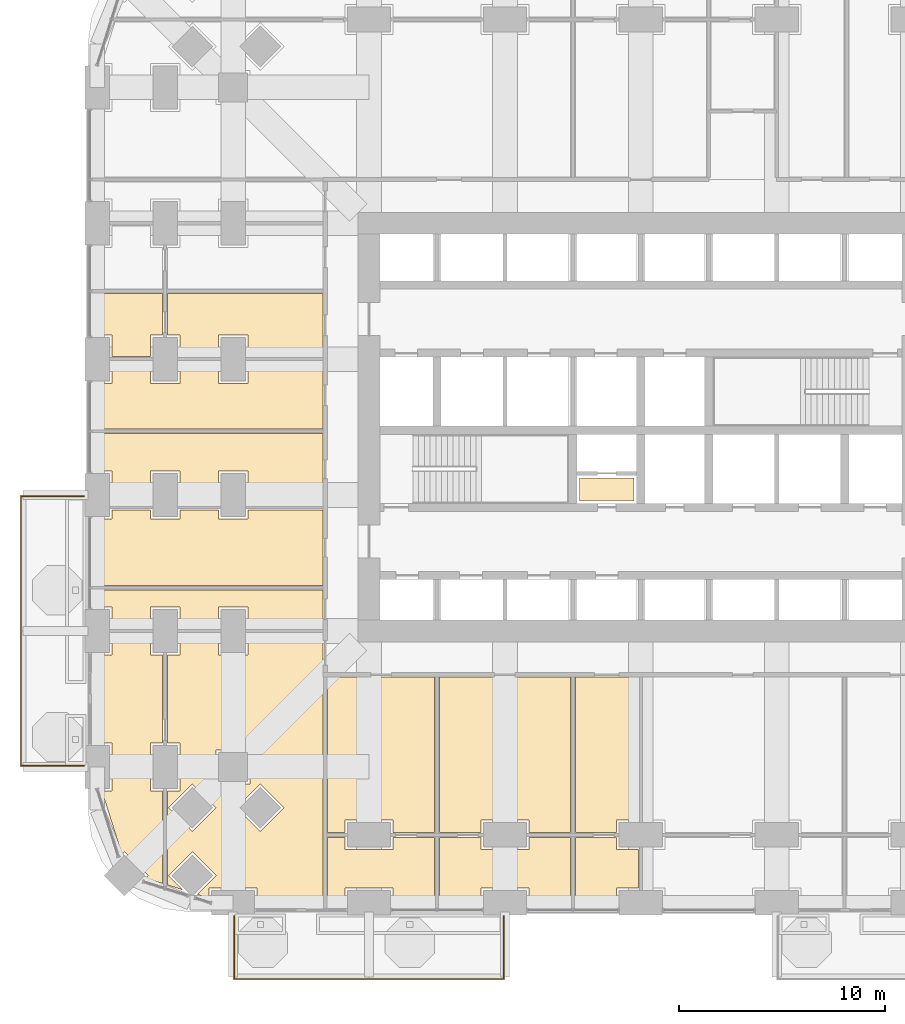
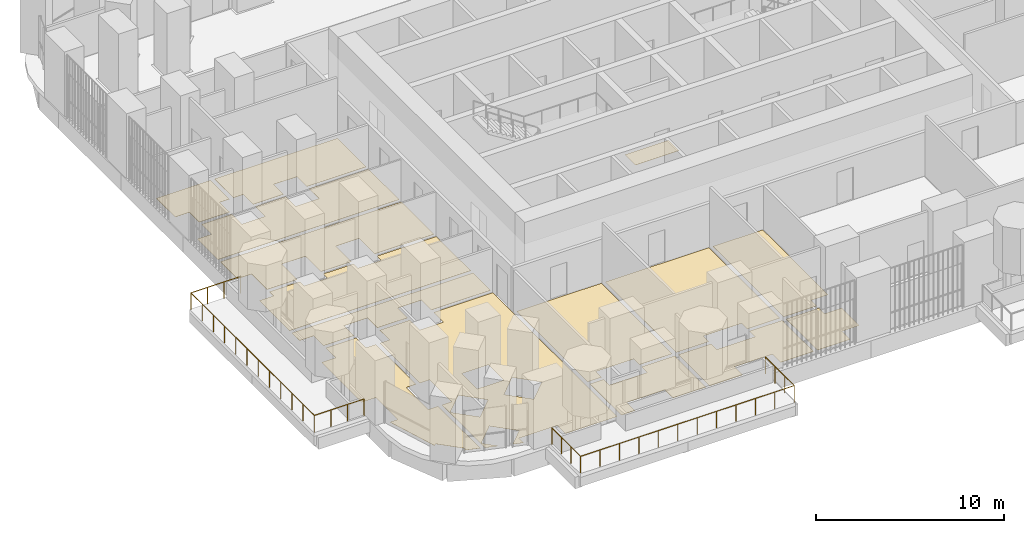
# One storey, part 23 of 27: 15 coverings, 2 railings.
"""IFC4 building model written with IfcOpenShell, lengths in metres."""

import ifcopenshell
import ifcopenshell.guid

model = None  # the IFC model being written
_history = None  # IfcOwnerHistory: only IFC2X3 demands one
_inside = {}  # id of a spatial element -> (the spatial element, [elements in it])
_under = {}  # id of a project, library or spatial element -> (it, [spatial elements below it])
_declared = {}  # id of a project -> (the project, [libraries it declares])
_typed = {}  # id of a type object -> (the type object, [elements of that type])
_made_of = {}  # id of a material, layer set ... -> (it, [elements and type objects made of it])


def new_model(schema):
    """Start an empty IFC model of exactly this schema.

    Asked for "IFC4X3", IfcOpenShell would pick the latest addendum, in which some entities
    have other attributes; the version numbers below select the first issue.
    IFC2X3 requires an IfcOwnerHistory on every rooted entity: one is made here for all.
    """
    global model, _history
    if schema == "IFC4X3":
        model = ifcopenshell.file(schema_version=(4, 3, 0, 0))
    else:
        model = ifcopenshell.file(schema=schema)
    _inside.clear()
    _under.clear()
    _declared.clear()
    _typed.clear()
    _made_of.clear()
    _history = None
    if model.schema == "IFC2X3":
        org = make("IfcOrganization", Name="unknown")
        user = make(
            "IfcPersonAndOrganization",
            ThePerson=make("IfcPerson", FamilyName="unknown"),
            TheOrganization=org,
        )
        app = make(
            "IfcApplication",
            ApplicationDeveloper=org,
            Version="unknown",
            ApplicationFullName="unknown",
            ApplicationIdentifier="unknown",
        )
        _history = make(
            "IfcOwnerHistory",
            OwningUser=user,
            OwningApplication=app,
            ChangeAction="ADDED",
            CreationDate=0,
        )
    return model


def make(cls, **values):
    """One entity of the class cls with the attributes given. An attribute that is None is left unset."""
    return model.create_entity(
        cls, **{name: value for name, value in values.items() if value is not None}
    )


def rooted(cls, **values):
    """An entity with a GlobalId (a new one), such as an element, a storey or a relation."""
    return make(cls, GlobalId=ifcopenshell.guid.new(), OwnerHistory=_history, **values)


def si_unit(unit_type, name, prefix=None):
    """IfcSIUnit, for example si_unit("LENGTHUNIT", "METRE", prefix="MILLI")."""
    return make("IfcSIUnit", UnitType=unit_type, Prefix=prefix, Name=name)


def assignment(units):
    """IfcUnitAssignment: the units of a project."""
    return None if units is None else make("IfcUnitAssignment", Units=units)


def point(xyz):
    """IfcCartesianPoint."""
    return None if xyz is None else make("IfcCartesianPoint", Coordinates=xyz)


def direction(xyz):
    """IfcDirection."""
    return None if xyz is None else make("IfcDirection", DirectionRatios=xyz)


def frame(location, z_axis=None, x_axis=None):
    """IfcAxis2Placement3D, a coordinate frame: its origin and axes. An axis left out is left unset."""
    return make(
        "IfcAxis2Placement3D",
        Location=point(location),
        Axis=direction(z_axis),
        RefDirection=direction(x_axis),
    )


def origin():
    """The frame at (0, 0, 0) with its axes left unset."""
    return frame((0.0, 0.0, 0.0))


def place(relative_to, where):
    """IfcLocalPlacement: puts the frame where relative to a parent placement (None: the world)."""
    return make(
        "IfcLocalPlacement", PlacementRelTo=relative_to, RelativePlacement=where
    )


def context(
    kind, dimensions, precision=None, world=None, true_north=None, identifier=None
):
    """IfcGeometricRepresentationContext, for example the 3D "Model" context."""
    return make(
        "IfcGeometricRepresentationContext",
        ContextIdentifier=identifier,
        ContextType=kind,
        CoordinateSpaceDimension=dimensions,
        Precision=precision,
        WorldCoordinateSystem=world,
        TrueNorth=true_north,
    )


def subcontext(parent, identifier, kind, view, scale=None):
    """IfcGeometricRepresentationSubContext, for example "Body" below "Model"."""
    return make(
        "IfcGeometricRepresentationSubContext",
        ContextIdentifier=identifier,
        ContextType=kind,
        ParentContext=parent,
        TargetScale=scale,
        TargetView=view,
    )


def project(units=None, contexts=None):
    """IfcProject with its units and contexts."""
    return rooted(
        "IfcProject",
        Name="project",
        RepresentationContexts=contexts,
        UnitsInContext=assignment(units),
    )


def spatial(cls, under=None, at=None, **own):
    """A site, building, storey or space (cls), placed at a placement, below another one or the project."""
    s = rooted(cls, ObjectPlacement=at, **own)
    if under is not None:
        _under.setdefault(under.id(), (under, []))[1].append(s)
    return s


def polyline(points):
    """IfcPolyline through the points."""
    return make("IfcPolyline", Points=[point(p) for p in points])


def outline(outer, holes=None, kind="AREA"):
    """IfcArbitraryClosedProfileDef: a profile drawn as a closed curve; with holes, ...WithVoids."""
    if holes is None:
        return make("IfcArbitraryClosedProfileDef", ProfileType=kind, OuterCurve=outer)
    return make(
        "IfcArbitraryProfileDefWithVoids",
        ProfileType=kind,
        OuterCurve=outer,
        InnerCurves=holes,
    )


def extrude(swept, where, along, depth):
    """IfcExtrudedAreaSolid: the profile swept, set in the frame where, extruded along a direction by depth."""
    return make(
        "IfcExtrudedAreaSolid",
        SweptArea=swept,
        Position=where,
        ExtrudedDirection=direction(along),
        Depth=depth,
    )


def shape(context_of_items, identifier, shape_type, items):
    """IfcShapeRepresentation: the items that make up one representation, for example the "Body"."""
    return make(
        "IfcShapeRepresentation",
        ContextOfItems=context_of_items,
        RepresentationIdentifier=identifier,
        RepresentationType=shape_type,
        Items=items,
    )


def material(Name=None, Category=None):
    """IfcMaterial."""
    return make("IfcMaterial", Name=Name, Category=Category)


def layer(
    of_material, thickness, ventilated=None, Name=None, Category=None, Priority=None
):
    """IfcMaterialLayer: one layer of a wall or slab, of a material (None: an air gap)."""
    return make(
        "IfcMaterialLayer",
        Material=of_material,
        LayerThickness=thickness,
        IsVentilated=ventilated,
        Name=Name,
        Category=Category,
        Priority=Priority,
    )


def layer_set(layers, Name=None):
    """IfcMaterialLayerSet."""
    return make("IfcMaterialLayerSet", MaterialLayers=layers, LayerSetName=Name)


def made_of(thing, what):
    """Note that an element or type object is made of a material, layer set ...; save() writes the relation."""
    if what is not None:
        _made_of.setdefault(what.id(), (what, []))[1].append(thing)
    return thing


def type_object(cls, material=None, **own):
    """A type object (cls), such as IfcWallType, which elements share."""
    return made_of(rooted(cls, **own), material)


def element(
    cls,
    number,
    at=None,
    inside=None,
    cuts=None,
    type_object=None,
    material=None,
    context=None,
    identifier="Body",
    shape_type=None,
    held_by="IfcProductDefinitionShape",
    body=None,
    shapes=None,
    **own,
):
    """One element of the class cls, such as IfcWall. Its Tag is "e" and its number.

    at: its placement. inside: the storey or other place that contains it. cuts: it is an
    opening in that element (IfcRelVoidsElement). A single representation is given by context,
    identifier, shape_type and body (its items); several are given by shapes. held_by: the class
    of the entity that holds the representations. save() writes the other relations.
    """
    e = rooted(cls, Tag="e%d" % number, ObjectPlacement=at, **own)
    if body is not None:
        shapes = [shape(context, identifier, shape_type, body)]
    if shapes is not None:
        e.Representation = make(held_by, Representations=shapes)
    if inside is not None:
        _inside.setdefault(inside.id(), (inside, []))[1].append(e)
    if cuts is not None:
        rooted(
            "IfcRelVoidsElement", RelatingBuildingElement=cuts, RelatedOpeningElement=e
        )
    if type_object is not None:
        _typed.setdefault(type_object.id(), (type_object, []))[1].append(e)
    return made_of(e, material)


def aggregate(whole, parts):
    """IfcRelAggregates: a whole, such as a stair, and the parts it consists of."""
    return rooted("IfcRelAggregates", RelatingObject=whole, RelatedObjects=parts)


def save(model, path):
    """Write the relations noted so far, then the file.

    IfcRelAggregates (storeys below a building ...), IfcRelContainedInSpatialStructure (elements
    in a storey), IfcRelDefinesByType, IfcRelAssociatesMaterial and IfcRelDeclares: one each for
    every whole, place, type object, material and project.
    """
    for whole, parts in _under.values():
        aggregate(whole, parts)
    for where, things in _inside.values():
        rooted(
            "IfcRelContainedInSpatialStructure",
            RelatedElements=things,
            RelatingStructure=where,
        )
    for kind, things in _typed.values():
        rooted("IfcRelDefinesByType", RelatedObjects=things, RelatingType=kind)
    for what, things in _made_of.values():
        rooted("IfcRelAssociatesMaterial", RelatedObjects=things, RelatingMaterial=what)
    for by, libraries in _declared.values():
        rooted("IfcRelDeclares", RelatingContext=by, RelatedDefinitions=libraries)
    model.write(path)


model = new_model("IFC4")

# Units and contexts
model_context = context("Model", 3, precision=1e-05, world=origin(), true_north=direction((0.0, 1.0)))
body_context = subcontext(model_context, "Body", "Model", "MODEL_VIEW")
ifc_project = project(units=[si_unit("LENGTHUNIT", "METRE"), si_unit("AREAUNIT", "SQUARE_METRE"), si_unit("VOLUMEUNIT", "CUBIC_METRE"), si_unit("PLANEANGLEUNIT", "RADIAN"), si_unit("MASSUNIT", "GRAM", prefix="KILO")], contexts=[model_context])

# Site, building, storey
site_placement = place(None, origin())
site = spatial("IfcSite", under=ifc_project, at=site_placement, CompositionType="ELEMENT")
building_placement = place(site_placement, origin())
building = spatial("IfcBuilding", under=site, at=building_placement, Name="Cobogo Forest Laboratory Tower", CompositionType="ELEMENT")
storey_placement = place(building_placement, frame((0.0, 0.0, 38.10009765625)))
storey = spatial("IfcBuildingStorey", under=building, at=storey_placement, Name="L08", CompositionType="ELEMENT", Elevation=38.10009765625)

# Railings
ifc_material_1 = material(Name="Laminated glass balustrade", Category="glass")
railing_type = type_object("IfcRailingType", Name="BG1 glass balustrade 1100", PredefinedType="GUARDRAIL", material=ifc_material_1)
railing_1_placement = place(storey_placement, frame((6.64990234375, -0.64990234375, 0.0)))
element("IfcRailing", 1, at=railing_1_placement, inside=storey, type_object=railing_type, Name="Balcony balustrade BAL-S1 L08", PredefinedType="GUARDRAIL", context=body_context, shape_type="SweptSolid", body=[
    extrude(outline(polyline([(0.022216796875, 0.00927734375), (0.00927734375, 0.022216796875), (-0.00927734375, 0.022216796875), (-0.022216796875, 0.00927734375), (-0.022216796875, -0.00927734375), (-0.00927734375, -0.022216796875), (0.00927734375, -0.022216796875), (0.022216796875, -0.00927734375), (0.022216796875, 0.00927734375)])), frame((0.0, 0.0, 1.077880859375), z_axis=(0.0, -1.0, 0.0), x_axis=(1.0, 0.0, 0.0)), (0.0, 0.0, 1.0), 3.050048828125),
    extrude(outline(polyline([(0.022216796875, 0.00927734375), (0.00927734375, 0.022216796875), (-0.00927734375, 0.022216796875), (-0.022216796875, 0.00927734375), (-0.022216796875, -0.00927734375), (-0.00927734375, -0.022216796875), (0.00927734375, -0.022216796875), (0.022216796875, -0.00927734375), (0.022216796875, 0.00927734375)])), frame((0.0, -3.050048828125, 1.077880859375), z_axis=(1.0, 0.0, 0.0), x_axis=(0.0, 1.0, 0.0)), (0.0, 0.0, 1.0), 13.10009765625),
    extrude(outline(polyline([(0.022216796875, 0.00927734375), (0.00927734375, 0.022216796875), (-0.00927734375, 0.022216796875), (-0.022216796875, 0.00927734375), (-0.022216796875, -0.00927734375), (-0.00927734375, -0.022216796875), (0.00927734375, -0.022216796875), (0.022216796875, -0.00927734375), (0.022216796875, 0.00927734375)])), frame((13.10009765625, -3.050048828125, 1.077880859375), z_axis=(0.0, 1.0, 0.0), x_axis=(-1.0, 0.0, 0.0)), (0.0, 0.0, 1.0), 3.050048828125),
    extrude(outline(polyline([(0.019287109375, 0.008056640625), (0.008056640625, 0.019287109375), (-0.008056640625, 0.019287109375), (-0.019287109375, 0.008056640625), (-0.019287109375, -0.008056640625), (-0.008056640625, -0.019287109375), (0.008056640625, -0.019287109375), (0.019287109375, -0.008056640625), (0.019287109375, 0.008056640625)])), origin(), (0.0, 0.0, 1.0), 1.077880859375),
    extrude(outline(polyline([(0.019287109375, 0.008056640625), (0.008056640625, 0.019287109375), (-0.008056640625, 0.019287109375), (-0.019287109375, 0.008056640625), (-0.019287109375, -0.008056640625), (-0.008056640625, -0.019287109375), (0.008056640625, -0.019287109375), (0.019287109375, -0.008056640625), (0.019287109375, 0.008056640625)])), frame((0.0, -1.0166015625, 0.0)), (0.0, 0.0, 1.0), 1.077880859375),
    extrude(outline(polyline([(0.019287109375, 0.008056640625), (0.008056640625, 0.019287109375), (-0.008056640625, 0.019287109375), (-0.019287109375, 0.008056640625), (-0.019287109375, -0.008056640625), (-0.008056640625, -0.019287109375), (0.008056640625, -0.019287109375), (0.019287109375, -0.008056640625), (0.019287109375, 0.008056640625)])), frame((0.0, -2.033447265625, 0.0)), (0.0, 0.0, 1.0), 1.077880859375),
    extrude(outline(polyline([(0.019287109375, 0.008056640625), (0.008056640625, 0.019287109375), (-0.008056640625, 0.019287109375), (-0.019287109375, 0.008056640625), (-0.019287109375, -0.008056640625), (-0.008056640625, -0.019287109375), (0.008056640625, -0.019287109375), (0.019287109375, -0.008056640625), (0.019287109375, 0.008056640625)])), frame((0.0, -3.050048828125, 0.0)), (0.0, 0.0, 1.0), 1.077880859375),
    extrude(outline(polyline([(0.019287109375, 0.008056640625), (0.008056640625, 0.019287109375), (-0.008056640625, 0.019287109375), (-0.019287109375, 0.008056640625), (-0.019287109375, -0.008056640625), (-0.008056640625, -0.019287109375), (0.008056640625, -0.019287109375), (0.019287109375, -0.008056640625), (0.019287109375, 0.008056640625)])), frame((1.19091796875, -3.050048828125, 0.0)), (0.0, 0.0, 1.0), 1.077880859375),
    extrude(outline(polyline([(0.019287109375, 0.008056640625), (0.008056640625, 0.019287109375), (-0.008056640625, 0.019287109375), (-0.019287109375, 0.008056640625), (-0.019287109375, -0.008056640625), (-0.008056640625, -0.019287109375), (0.008056640625, -0.019287109375), (0.019287109375, -0.008056640625), (0.019287109375, 0.008056640625)])), frame((2.3818359375, -3.050048828125, 0.0)), (0.0, 0.0, 1.0), 1.077880859375),
    extrude(outline(polyline([(0.019287109375, 0.008056640625), (0.008056640625, 0.019287109375), (-0.008056640625, 0.019287109375), (-0.019287109375, 0.008056640625), (-0.019287109375, -0.008056640625), (-0.008056640625, -0.019287109375), (0.008056640625, -0.019287109375), (0.019287109375, -0.008056640625), (0.019287109375, 0.008056640625)])), frame((3.57275390625, -3.050048828125, 0.0)), (0.0, 0.0, 1.0), 1.077880859375),
    extrude(outline(polyline([(0.019287109375, 0.008056640625), (0.008056640625, 0.019287109375), (-0.008056640625, 0.019287109375), (-0.019287109375, 0.008056640625), (-0.019287109375, -0.008056640625), (-0.008056640625, -0.019287109375), (0.008056640625, -0.019287109375), (0.019287109375, -0.008056640625), (0.019287109375, 0.008056640625)])), frame((4.763671875, -3.050048828125, 0.0)), (0.0, 0.0, 1.0), 1.077880859375),
    extrude(outline(polyline([(0.019287109375, 0.008056640625), (0.008056640625, 0.019287109375), (-0.008056640625, 0.019287109375), (-0.019287109375, 0.008056640625), (-0.019287109375, -0.008056640625), (-0.008056640625, -0.019287109375), (0.008056640625, -0.019287109375), (0.019287109375, -0.008056640625), (0.019287109375, 0.008056640625)])), frame((5.95458984375, -3.050048828125, 0.0)), (0.0, 0.0, 1.0), 1.077880859375),
    extrude(outline(polyline([(0.019287109375, 0.008056640625), (0.008056640625, 0.019287109375), (-0.008056640625, 0.019287109375), (-0.019287109375, 0.008056640625), (-0.019287109375, -0.008056640625), (-0.008056640625, -0.019287109375), (0.008056640625, -0.019287109375), (0.019287109375, -0.008056640625), (0.019287109375, 0.008056640625)])), frame((7.1455078125, -3.050048828125, 0.0)), (0.0, 0.0, 1.0), 1.077880859375),
    extrude(outline(polyline([(0.019287109375, 0.008056640625), (0.008056640625, 0.019287109375), (-0.008056640625, 0.019287109375), (-0.019287109375, 0.008056640625), (-0.019287109375, -0.008056640625), (-0.008056640625, -0.019287109375), (0.008056640625, -0.019287109375), (0.019287109375, -0.008056640625), (0.019287109375, 0.008056640625)])), frame((8.33642578125, -3.050048828125, 0.0)), (0.0, 0.0, 1.0), 1.077880859375),
    extrude(outline(polyline([(0.019287109375, 0.008056640625), (0.008056640625, 0.019287109375), (-0.008056640625, 0.019287109375), (-0.019287109375, 0.008056640625), (-0.019287109375, -0.008056640625), (-0.008056640625, -0.019287109375), (0.008056640625, -0.019287109375), (0.019287109375, -0.008056640625), (0.019287109375, 0.008056640625)])), frame((9.52734375, -3.050048828125, 0.0)), (0.0, 0.0, 1.0), 1.077880859375),
    extrude(outline(polyline([(0.019287109375, 0.008056640625), (0.008056640625, 0.019287109375), (-0.008056640625, 0.019287109375), (-0.019287109375, 0.008056640625), (-0.019287109375, -0.008056640625), (-0.008056640625, -0.019287109375), (0.008056640625, -0.019287109375), (0.019287109375, -0.008056640625), (0.019287109375, 0.008056640625)])), frame((10.71826171875, -3.050048828125, 0.0)), (0.0, 0.0, 1.0), 1.077880859375),
    extrude(outline(polyline([(0.019287109375, 0.008056640625), (0.008056640625, 0.019287109375), (-0.008056640625, 0.019287109375), (-0.019287109375, 0.008056640625), (-0.019287109375, -0.008056640625), (-0.008056640625, -0.019287109375), (0.008056640625, -0.019287109375), (0.019287109375, -0.008056640625), (0.019287109375, 0.008056640625)])), frame((11.9091796875, -3.050048828125, 0.0)), (0.0, 0.0, 1.0), 1.077880859375),
    extrude(outline(polyline([(0.019287109375, 0.008056640625), (0.008056640625, 0.019287109375), (-0.008056640625, 0.019287109375), (-0.019287109375, 0.008056640625), (-0.019287109375, -0.008056640625), (-0.008056640625, -0.019287109375), (0.008056640625, -0.019287109375), (0.019287109375, -0.008056640625), (0.019287109375, 0.008056640625)])), frame((13.10009765625, -3.050048828125, 0.0)), (0.0, 0.0, 1.0), 1.077880859375),
    extrude(outline(polyline([(0.019287109375, 0.008056640625), (0.008056640625, 0.019287109375), (-0.008056640625, 0.019287109375), (-0.019287109375, 0.008056640625), (-0.019287109375, -0.008056640625), (-0.008056640625, -0.019287109375), (0.008056640625, -0.019287109375), (0.019287109375, -0.008056640625), (0.019287109375, 0.008056640625)])), frame((13.10009765625, -2.033447265625, 0.0)), (0.0, 0.0, 1.0), 1.077880859375),
    extrude(outline(polyline([(0.019287109375, 0.008056640625), (0.008056640625, 0.019287109375), (-0.008056640625, 0.019287109375), (-0.019287109375, 0.008056640625), (-0.019287109375, -0.008056640625), (-0.008056640625, -0.019287109375), (0.008056640625, -0.019287109375), (0.019287109375, -0.008056640625), (0.019287109375, 0.008056640625)])), frame((13.10009765625, -1.0166015625, 0.0)), (0.0, 0.0, 1.0), 1.077880859375),
    extrude(outline(polyline([(0.019287109375, 0.008056640625), (0.008056640625, 0.019287109375), (-0.008056640625, 0.019287109375), (-0.019287109375, 0.008056640625), (-0.019287109375, -0.008056640625), (-0.008056640625, -0.019287109375), (0.008056640625, -0.019287109375), (0.019287109375, -0.008056640625), (0.019287109375, 0.008056640625)])), frame((13.10009765625, 0.0, 0.0)), (0.0, 0.0, 1.0), 1.077880859375),
])
railing_2_placement = place(storey_placement, frame((-0.64990234375, 6.64990234375, 0.0)))
element("IfcRailing", 2, at=railing_2_placement, inside=storey, type_object=railing_type, Name="Balcony balustrade BAL-W1 L08", PredefinedType="GUARDRAIL", context=body_context, shape_type="SweptSolid", body=[
    extrude(outline(polyline([(0.022216796875, 0.00927734375), (0.00927734375, 0.022216796875), (-0.00927734375, 0.022216796875), (-0.022216796875, 0.00927734375), (-0.022216796875, -0.00927734375), (-0.00927734375, -0.022216796875), (0.00927734375, -0.022216796875), (0.022216796875, -0.00927734375), (0.022216796875, 0.00927734375)])), frame((0.0, 0.0, 1.077880859375), z_axis=(-1.0, 0.0, 0.0), x_axis=(0.0, -1.0, 0.0)), (0.0, 0.0, 1.0), 3.050048828125),
    extrude(outline(polyline([(0.022216796875, 0.00927734375), (0.00927734375, 0.022216796875), (-0.00927734375, 0.022216796875), (-0.022216796875, 0.00927734375), (-0.022216796875, -0.00927734375), (-0.00927734375, -0.022216796875), (0.00927734375, -0.022216796875), (0.022216796875, -0.00927734375), (0.022216796875, 0.00927734375)])), frame((-3.050048828125, 0.0, 1.077880859375), z_axis=(0.0, 1.0, 0.0), x_axis=(-1.0, 0.0, 0.0)), (0.0, 0.0, 1.0), 13.10009765625),
    extrude(outline(polyline([(0.022216796875, 0.00927734375), (0.00927734375, 0.022216796875), (-0.00927734375, 0.022216796875), (-0.022216796875, 0.00927734375), (-0.022216796875, -0.00927734375), (-0.00927734375, -0.022216796875), (0.00927734375, -0.022216796875), (0.022216796875, -0.00927734375), (0.022216796875, 0.00927734375)])), frame((-3.050048828125, 13.10009765625, 1.077880859375), z_axis=(1.0, 0.0, 0.0), x_axis=(0.0, 1.0, 0.0)), (0.0, 0.0, 1.0), 3.050048828125),
    extrude(outline(polyline([(0.019287109375, 0.008056640625), (0.008056640625, 0.019287109375), (-0.008056640625, 0.019287109375), (-0.019287109375, 0.008056640625), (-0.019287109375, -0.008056640625), (-0.008056640625, -0.019287109375), (0.008056640625, -0.019287109375), (0.019287109375, -0.008056640625), (0.019287109375, 0.008056640625)])), origin(), (0.0, 0.0, 1.0), 1.077880859375),
    extrude(outline(polyline([(0.019287109375, 0.008056640625), (0.008056640625, 0.019287109375), (-0.008056640625, 0.019287109375), (-0.019287109375, 0.008056640625), (-0.019287109375, -0.008056640625), (-0.008056640625, -0.019287109375), (0.008056640625, -0.019287109375), (0.019287109375, -0.008056640625), (0.019287109375, 0.008056640625)])), frame((-1.0166015625, 0.0, 0.0)), (0.0, 0.0, 1.0), 1.077880859375),
    extrude(outline(polyline([(0.019287109375, 0.008056640625), (0.008056640625, 0.019287109375), (-0.008056640625, 0.019287109375), (-0.019287109375, 0.008056640625), (-0.019287109375, -0.008056640625), (-0.008056640625, -0.019287109375), (0.008056640625, -0.019287109375), (0.019287109375, -0.008056640625), (0.019287109375, 0.008056640625)])), frame((-2.033447265625, 0.0, 0.0)), (0.0, 0.0, 1.0), 1.077880859375),
    extrude(outline(polyline([(0.019287109375, 0.008056640625), (0.008056640625, 0.019287109375), (-0.008056640625, 0.019287109375), (-0.019287109375, 0.008056640625), (-0.019287109375, -0.008056640625), (-0.008056640625, -0.019287109375), (0.008056640625, -0.019287109375), (0.019287109375, -0.008056640625), (0.019287109375, 0.008056640625)])), frame((-3.050048828125, 0.0, 0.0)), (0.0, 0.0, 1.0), 1.077880859375),
    extrude(outline(polyline([(0.019287109375, 0.008056640625), (0.008056640625, 0.019287109375), (-0.008056640625, 0.019287109375), (-0.019287109375, 0.008056640625), (-0.019287109375, -0.008056640625), (-0.008056640625, -0.019287109375), (0.008056640625, -0.019287109375), (0.019287109375, -0.008056640625), (0.019287109375, 0.008056640625)])), frame((-3.050048828125, 1.19091796875, 0.0)), (0.0, 0.0, 1.0), 1.077880859375),
    extrude(outline(polyline([(0.019287109375, 0.008056640625), (0.008056640625, 0.019287109375), (-0.008056640625, 0.019287109375), (-0.019287109375, 0.008056640625), (-0.019287109375, -0.008056640625), (-0.008056640625, -0.019287109375), (0.008056640625, -0.019287109375), (0.019287109375, -0.008056640625), (0.019287109375, 0.008056640625)])), frame((-3.050048828125, 2.3818359375, 0.0)), (0.0, 0.0, 1.0), 1.077880859375),
    extrude(outline(polyline([(0.019287109375, 0.008056640625), (0.008056640625, 0.019287109375), (-0.008056640625, 0.019287109375), (-0.019287109375, 0.008056640625), (-0.019287109375, -0.008056640625), (-0.008056640625, -0.019287109375), (0.008056640625, -0.019287109375), (0.019287109375, -0.008056640625), (0.019287109375, 0.008056640625)])), frame((-3.050048828125, 3.57275390625, 0.0)), (0.0, 0.0, 1.0), 1.077880859375),
    extrude(outline(polyline([(0.019287109375, 0.008056640625), (0.008056640625, 0.019287109375), (-0.008056640625, 0.019287109375), (-0.019287109375, 0.008056640625), (-0.019287109375, -0.008056640625), (-0.008056640625, -0.019287109375), (0.008056640625, -0.019287109375), (0.019287109375, -0.008056640625), (0.019287109375, 0.008056640625)])), frame((-3.050048828125, 4.763671875, 0.0)), (0.0, 0.0, 1.0), 1.077880859375),
    extrude(outline(polyline([(0.019287109375, 0.008056640625), (0.008056640625, 0.019287109375), (-0.008056640625, 0.019287109375), (-0.019287109375, 0.008056640625), (-0.019287109375, -0.008056640625), (-0.008056640625, -0.019287109375), (0.008056640625, -0.019287109375), (0.019287109375, -0.008056640625), (0.019287109375, 0.008056640625)])), frame((-3.050048828125, 5.95458984375, 0.0)), (0.0, 0.0, 1.0), 1.077880859375),
    extrude(outline(polyline([(0.019287109375, 0.008056640625), (0.008056640625, 0.019287109375), (-0.008056640625, 0.019287109375), (-0.019287109375, 0.008056640625), (-0.019287109375, -0.008056640625), (-0.008056640625, -0.019287109375), (0.008056640625, -0.019287109375), (0.019287109375, -0.008056640625), (0.019287109375, 0.008056640625)])), frame((-3.050048828125, 7.1455078125, 0.0)), (0.0, 0.0, 1.0), 1.077880859375),
    extrude(outline(polyline([(0.019287109375, 0.008056640625), (0.008056640625, 0.019287109375), (-0.008056640625, 0.019287109375), (-0.019287109375, 0.008056640625), (-0.019287109375, -0.008056640625), (-0.008056640625, -0.019287109375), (0.008056640625, -0.019287109375), (0.019287109375, -0.008056640625), (0.019287109375, 0.008056640625)])), frame((-3.050048828125, 8.33642578125, 0.0)), (0.0, 0.0, 1.0), 1.077880859375),
    extrude(outline(polyline([(0.019287109375, 0.008056640625), (0.008056640625, 0.019287109375), (-0.008056640625, 0.019287109375), (-0.019287109375, 0.008056640625), (-0.019287109375, -0.008056640625), (-0.008056640625, -0.019287109375), (0.008056640625, -0.019287109375), (0.019287109375, -0.008056640625), (0.019287109375, 0.008056640625)])), frame((-3.050048828125, 9.52734375, 0.0)), (0.0, 0.0, 1.0), 1.077880859375),
    extrude(outline(polyline([(0.019287109375, 0.008056640625), (0.008056640625, 0.019287109375), (-0.008056640625, 0.019287109375), (-0.019287109375, 0.008056640625), (-0.019287109375, -0.008056640625), (-0.008056640625, -0.019287109375), (0.008056640625, -0.019287109375), (0.019287109375, -0.008056640625), (0.019287109375, 0.008056640625)])), frame((-3.050048828125, 10.71826171875, 0.0)), (0.0, 0.0, 1.0), 1.077880859375),
    extrude(outline(polyline([(0.019287109375, 0.008056640625), (0.008056640625, 0.019287109375), (-0.008056640625, 0.019287109375), (-0.019287109375, 0.008056640625), (-0.019287109375, -0.008056640625), (-0.008056640625, -0.019287109375), (0.008056640625, -0.019287109375), (0.019287109375, -0.008056640625), (0.019287109375, 0.008056640625)])), frame((-3.050048828125, 11.9091796875, 0.0)), (0.0, 0.0, 1.0), 1.077880859375),
    extrude(outline(polyline([(0.019287109375, 0.008056640625), (0.008056640625, 0.019287109375), (-0.008056640625, 0.019287109375), (-0.019287109375, 0.008056640625), (-0.019287109375, -0.008056640625), (-0.008056640625, -0.019287109375), (0.008056640625, -0.019287109375), (0.019287109375, -0.008056640625), (0.019287109375, 0.008056640625)])), frame((-3.050048828125, 13.10009765625, 0.0)), (0.0, 0.0, 1.0), 1.077880859375),
    extrude(outline(polyline([(0.019287109375, 0.008056640625), (0.008056640625, 0.019287109375), (-0.008056640625, 0.019287109375), (-0.019287109375, 0.008056640625), (-0.019287109375, -0.008056640625), (-0.008056640625, -0.019287109375), (0.008056640625, -0.019287109375), (0.019287109375, -0.008056640625), (0.019287109375, 0.008056640625)])), frame((-2.033447265625, 13.10009765625, 0.0)), (0.0, 0.0, 1.0), 1.077880859375),
    extrude(outline(polyline([(0.019287109375, 0.008056640625), (0.008056640625, 0.019287109375), (-0.008056640625, 0.019287109375), (-0.019287109375, 0.008056640625), (-0.019287109375, -0.008056640625), (-0.008056640625, -0.019287109375), (0.008056640625, -0.019287109375), (0.019287109375, -0.008056640625), (0.019287109375, 0.008056640625)])), frame((-1.0166015625, 13.10009765625, 0.0)), (0.0, 0.0, 1.0), 1.077880859375),
    extrude(outline(polyline([(0.019287109375, 0.008056640625), (0.008056640625, 0.019287109375), (-0.008056640625, 0.019287109375), (-0.019287109375, 0.008056640625), (-0.019287109375, -0.008056640625), (-0.008056640625, -0.019287109375), (0.008056640625, -0.019287109375), (0.019287109375, -0.008056640625), (0.019287109375, 0.008056640625)])), frame((0.0, 13.10009765625, 0.0)), (0.0, 0.0, 1.0), 1.077880859375),
])

# Coverings
ifc_material_2 = material(Name="Carpet tile on raised access floor", Category="flooring")
ifc_layer_1 = layer(ifc_material_2, 0.008056640625)
ifc_layer_set_1 = layer_set([ifc_layer_1], Name="CT1 carpet tile floor 8")
covering_type_1 = type_object("IfcCoveringType", Name="CT1 carpet tile floor 8", PredefinedType="FLOORING", material=ifc_layer_set_1)
covering_1_placement = place(storey_placement, origin())
element("IfcCovering", 3, at=covering_1_placement, inside=storey, type_object=covering_type_1, Name="Carpet floor L08-02", PredefinedType="FLOORING", context=body_context, shape_type="SweptSolid", body=[
    extrude(outline(polyline([(12.030029296875, 3.179931640625), (12.030029296875, 2.580078125), (14.3701171875, 2.580078125), (14.3701171875, 3.179931640625), (16.3798828125, 3.179931640625), (16.3798828125, -0.14990234375), (14.3701171875, -0.14990234375), (14.3701171875, 0.719970703125), (12.030029296875, 0.719970703125), (12.030029296875, -0.14990234375), (11.195068359375, -0.14990234375), (11.195068359375, 3.179931640625), (12.030029296875, 3.179931640625)])), origin(), (0.0, 0.0, 1.0), 0.0078125),
])
covering_2_placement = place(storey_placement, origin())
element("IfcCovering", 4, at=covering_2_placement, inside=storey, type_object=covering_type_1, Name="Carpet floor L08-04", PredefinedType="FLOORING", context=body_context, shape_type="SweptSolid", body=[
    extrude(outline(polyline([(18.6298828125, 3.179931640625), (18.6298828125, 2.580078125), (20.969970703125, 2.580078125), (20.969970703125, 3.179931640625), (22.97998046875, 3.179931640625), (22.97998046875, -0.14990234375), (20.969970703125, -0.14990234375), (20.969970703125, 0.719970703125), (18.6298828125, 0.719970703125), (18.6298828125, -0.14990234375), (16.6201171875, -0.14990234375), (16.6201171875, 3.179931640625), (18.6298828125, 3.179931640625)])), origin(), (0.0, 0.0, 1.0), 0.0078125),
])
covering_3_placement = place(storey_placement, origin())
element("IfcCovering", 5, at=covering_3_placement, inside=storey, type_object=covering_type_1, Name="Carpet floor L08-06", PredefinedType="FLOORING", context=body_context, shape_type="SweptSolid", body=[
    extrude(outline(polyline([(25.22998046875, 3.179931640625), (25.22998046875, 2.580078125), (26.280029296875, 2.580078125), (26.280029296875, 0.719970703125), (25.22998046875, 0.719970703125), (25.22998046875, -0.14990234375), (23.219970703125, -0.14990234375), (23.219970703125, 3.179931640625), (25.22998046875, 3.179931640625)])), origin(), (0.0, 0.0, 1.0), 0.0078125),
])
covering_4_placement = place(storey_placement, origin())
element("IfcCovering", 6, at=covering_4_placement, inside=storey, type_object=covering_type_1, Name="Carpet floor L08-29", PredefinedType="FLOORING", context=body_context, shape_type="SweptSolid", body=[
    extrude(outline(polyline([(3.179931640625, 7.77001953125), (2.580078125, 7.77001953125), (2.580078125, 5.429931640625), (3.179931640625, 5.429931640625), (3.179931640625, 0.939697265625), (2.358642578125, 1.19921875), (2.477783203125, 1.318115234375), (1.318115234375, 2.477783203125), (1.19921875, 2.358642578125), (0.229248046875, 5.429931640625), (0.719970703125, 5.429931640625), (0.719970703125, 7.77001953125), (-0.14990234375, 7.77001953125), (-0.14990234375, 12.030029296875), (0.719970703125, 12.030029296875), (0.719970703125, 13.080078125), (2.580078125, 13.080078125), (2.580078125, 12.030029296875), (3.179931640625, 12.030029296875), (3.179931640625, 7.77001953125)])), origin(), (0.0, 0.0, 1.0), 0.0078125),
])
covering_5_placement = place(storey_placement, origin())
element("IfcCovering", 7, at=covering_5_placement, inside=storey, type_object=covering_type_1, Name="Carpet floor L08-35", PredefinedType="FLOORING", context=body_context, shape_type="SweptSolid", body=[
    extrude(outline(polyline([(3.179931640625, 27.570068359375), (2.580078125, 27.570068359375), (2.580078125, 26.52001953125), (0.719970703125, 26.52001953125), (0.719970703125, 27.570068359375), (-0.14990234375, 27.570068359375), (-0.14990234375, 29.580078125), (3.179931640625, 29.580078125), (3.179931640625, 27.570068359375)])), origin(), (0.0, 0.0, 1.0), 0.0078125),
])
covering_6_placement = place(storey_placement, origin())
element("IfcCovering", 8, at=covering_6_placement, inside=storey, type_object=covering_type_1, Name="Carpet floor L08-44", PredefinedType="FLOORING", context=body_context, shape_type="SweptSolid", body=[
    extrude(outline(polyline([(26.080078125, 19.52001953125), (23.419921875, 19.52001953125), (23.419921875, 20.6298828125), (26.080078125, 20.6298828125), (26.080078125, 19.52001953125)])), origin(), (0.0, 0.0, 1.0), 0.0078125),
])
ifc_material_3 = material(Name="Epoxy resin flooring", Category="flooring")
ifc_layer_2 = layer(ifc_material_3, 0.00390625)
ifc_layer_set_2 = layer_set([ifc_layer_2], Name="LF1 epoxy laboratory floor 4")
covering_type_2 = type_object("IfcCoveringType", Name="LF1 epoxy laboratory floor 4", PredefinedType="FLOORING", material=ifc_layer_set_2)
covering_7_placement = place(storey_placement, origin())
element("IfcCovering", 9, at=covering_7_placement, inside=storey, type_object=covering_type_2, Name="Epoxy laboratory floor L08-01", PredefinedType="FLOORING", context=body_context, shape_type="SweptSolid", body=[
    extrude(outline(polyline([(11.195068359375, 10.955078125), (16.3798828125, 10.955078125), (16.3798828125, 3.419921875), (14.3701171875, 3.419921875), (14.3701171875, 4.02001953125), (12.030029296875, 4.02001953125), (12.030029296875, 3.419921875), (11.195068359375, 3.419921875), (11.195068359375, 10.955078125)])), origin(), (0.0, 0.0, 1.0), 0.00390625),
])
covering_8_placement = place(storey_placement, origin())
element("IfcCovering", 10, at=covering_8_placement, inside=storey, type_object=covering_type_2, Name="Epoxy laboratory floor L08-03", PredefinedType="FLOORING", context=body_context, shape_type="SweptSolid", body=[
    extrude(outline(polyline([(16.6201171875, 10.955078125), (22.97998046875, 10.955078125), (22.97998046875, 3.419921875), (20.969970703125, 3.419921875), (20.969970703125, 4.02001953125), (18.6298828125, 4.02001953125), (18.6298828125, 3.419921875), (16.6201171875, 3.419921875), (16.6201171875, 10.955078125)])), origin(), (0.0, 0.0, 1.0), 0.00390625),
])
covering_9_placement = place(storey_placement, origin())
element("IfcCovering", 11, at=covering_9_placement, inside=storey, type_object=covering_type_2, Name="Epoxy laboratory floor L08-05", PredefinedType="FLOORING", context=body_context, shape_type="SweptSolid", body=[
    extrude(outline(polyline([(23.219970703125, 10.955078125), (26.280029296875, 10.955078125), (26.280029296875, 4.02001953125), (25.22998046875, 4.02001953125), (25.22998046875, 3.419921875), (23.219970703125, 3.419921875), (23.219970703125, 10.955078125)])), origin(), (0.0, 0.0, 1.0), 0.00390625),
])
covering_10_placement = place(storey_placement, origin())
element("IfcCovering", 12, at=covering_10_placement, inside=storey, type_object=covering_type_2, Name="Epoxy laboratory floor L08-28", PredefinedType="FLOORING", context=body_context, shape_type="SweptSolid", body=[
    extrude(outline(polyline([(5.8798828125, 13.080078125), (5.8798828125, 12.030029296875), (7.320068359375, 12.030029296875), (7.320068359375, 13.080078125), (10.955078125, 13.080078125), (10.955078125, -0.14990234375), (7.77001953125, -0.14990234375), (7.77001953125, 0.719970703125), (5.429931640625, 0.719970703125), (5.429931640625, 0.229248046875), (4.86669921875, 0.406982421875), (5.777587890625, 1.318115234375), (4.617919921875, 2.477783203125), (3.458251953125, 1.318115234375), (4.1396484375, 0.63671875), (3.419921875, 0.864013671875), (3.419921875, 5.429931640625), (4.02001953125, 5.429931640625), (4.02001953125, 7.77001953125), (3.419921875, 7.77001953125), (3.419921875, 12.030029296875), (4.02001953125, 12.030029296875), (4.02001953125, 13.080078125), (5.8798828125, 13.080078125)]), holes=[polyline([(7.91796875, 5.777587890625), (6.75830078125, 4.617919921875), (7.91796875, 3.458251953125), (9.07763671875, 4.617919921875), (7.91796875, 5.777587890625)]), polyline([(5.780029296875, 7.419921875), (5.780029296875, 5.780029296875), (7.419921875, 5.780029296875), (7.419921875, 7.419921875), (5.780029296875, 7.419921875)]), polyline([(3.458251953125, 4.617919921875), (4.617919921875, 3.458251953125), (5.777587890625, 4.617919921875), (4.617919921875, 5.777587890625), (3.458251953125, 4.617919921875)])]), origin(), (0.0, 0.0, 1.0), 0.00390625),
])
ifc_material_4 = material(Name="Ceramic floor tile", Category="flooring")
ifc_layer_3 = layer(ifc_material_4, 0.010009765625)
ifc_layer_set_3 = layer_set([ifc_layer_3], Name="TF1 ceramic tile floor 10")
covering_type_3 = type_object("IfcCoveringType", Name="TF1 ceramic tile floor 10", PredefinedType="FLOORING", material=ifc_layer_set_3)
covering_11_placement = place(storey_placement, origin())
element("IfcCovering", 13, at=covering_11_placement, inside=storey, type_object=covering_type_3, Name="Tile floor L08-30", PredefinedType="FLOORING", context=body_context, shape_type="SweptSolid", body=[
    extrude(outline(polyline([(10.955078125, 13.320068359375), (7.320068359375, 13.320068359375), (7.320068359375, 14.3701171875), (5.8798828125, 14.3701171875), (5.8798828125, 13.320068359375), (4.02001953125, 13.320068359375), (4.02001953125, 14.3701171875), (2.580078125, 14.3701171875), (2.580078125, 13.320068359375), (0.719970703125, 13.320068359375), (0.719970703125, 14.3701171875), (-0.14990234375, 14.3701171875), (-0.14990234375, 15.179931640625), (10.955078125, 15.179931640625), (10.955078125, 13.320068359375)])), origin(), (0.0, 0.0, 1.0), 0.010009765625),
])
covering_12_placement = place(storey_placement, origin())
element("IfcCovering", 14, at=covering_12_placement, inside=storey, type_object=covering_type_3, Name="Tile floor L08-31", PredefinedType="FLOORING", context=body_context, shape_type="SweptSolid", body=[
    extrude(outline(polyline([(10.955078125, 15.419921875), (-0.14990234375, 15.419921875), (-0.14990234375, 18.6298828125), (0.719970703125, 18.6298828125), (0.719970703125, 19.080078125), (2.580078125, 19.080078125), (2.580078125, 18.6298828125), (4.02001953125, 18.6298828125), (4.02001953125, 19.080078125), (5.8798828125, 19.080078125), (5.8798828125, 18.6298828125), (7.320068359375, 18.6298828125), (7.320068359375, 19.080078125), (10.955078125, 19.080078125), (10.955078125, 15.419921875)])), origin(), (0.0, 0.0, 1.0), 0.010009765625),
])
covering_13_placement = place(storey_placement, origin())
element("IfcCovering", 15, at=covering_13_placement, inside=storey, type_object=covering_type_3, Name="Tile floor L08-32", PredefinedType="FLOORING", context=body_context, shape_type="SweptSolid", body=[
    extrude(outline(polyline([(10.955078125, 19.320068359375), (7.320068359375, 19.320068359375), (7.320068359375, 20.969970703125), (5.8798828125, 20.969970703125), (5.8798828125, 19.320068359375), (4.02001953125, 19.320068359375), (4.02001953125, 20.969970703125), (2.580078125, 20.969970703125), (2.580078125, 19.320068359375), (0.719970703125, 19.320068359375), (0.719970703125, 20.969970703125), (-0.14990234375, 20.969970703125), (-0.14990234375, 22.780029296875), (10.955078125, 22.780029296875), (10.955078125, 19.320068359375)])), origin(), (0.0, 0.0, 1.0), 0.010009765625),
])
covering_14_placement = place(storey_placement, origin())
element("IfcCovering", 16, at=covering_14_placement, inside=storey, type_object=covering_type_3, Name="Tile floor L08-33", PredefinedType="FLOORING", context=body_context, shape_type="SweptSolid", body=[
    extrude(outline(polyline([(10.955078125, 23.02001953125), (-0.14990234375, 23.02001953125), (-0.14990234375, 25.22998046875), (0.719970703125, 25.22998046875), (0.719970703125, 26.280029296875), (2.580078125, 26.280029296875), (2.580078125, 25.22998046875), (4.02001953125, 25.22998046875), (4.02001953125, 26.280029296875), (5.8798828125, 26.280029296875), (5.8798828125, 25.22998046875), (7.320068359375, 25.22998046875), (7.320068359375, 26.280029296875), (10.955078125, 26.280029296875), (10.955078125, 23.02001953125)])), origin(), (0.0, 0.0, 1.0), 0.010009765625),
])
covering_15_placement = place(storey_placement, origin())
element("IfcCovering", 17, at=covering_15_placement, inside=storey, type_object=covering_type_3, Name="Tile floor L08-34", PredefinedType="FLOORING", context=body_context, shape_type="SweptSolid", body=[
    extrude(outline(polyline([(3.419921875, 29.580078125), (10.955078125, 29.580078125), (10.955078125, 26.52001953125), (7.320068359375, 26.52001953125), (7.320068359375, 27.570068359375), (5.8798828125, 27.570068359375), (5.8798828125, 26.52001953125), (4.02001953125, 26.52001953125), (4.02001953125, 27.570068359375), (3.419921875, 27.570068359375), (3.419921875, 29.580078125)])), origin(), (0.0, 0.0, 1.0), 0.010009765625),
])

save(model, "model.ifc")
